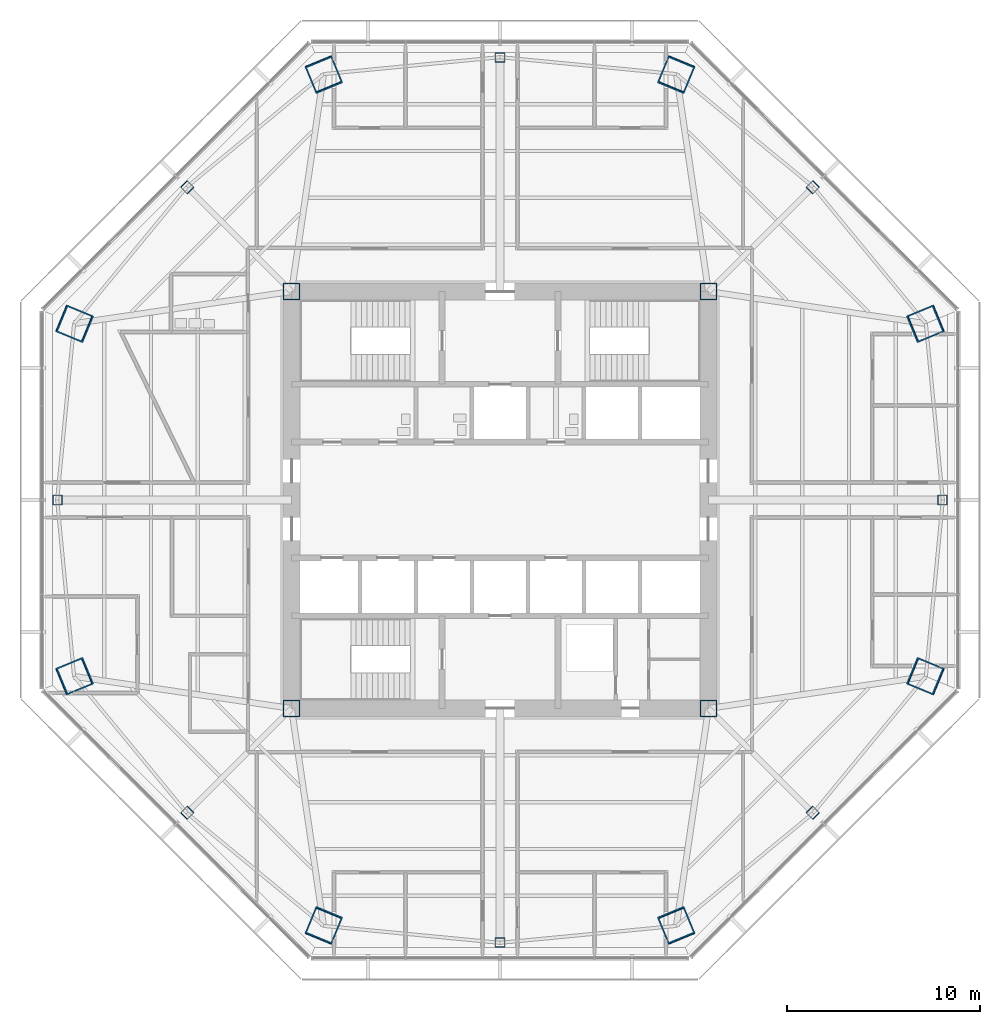
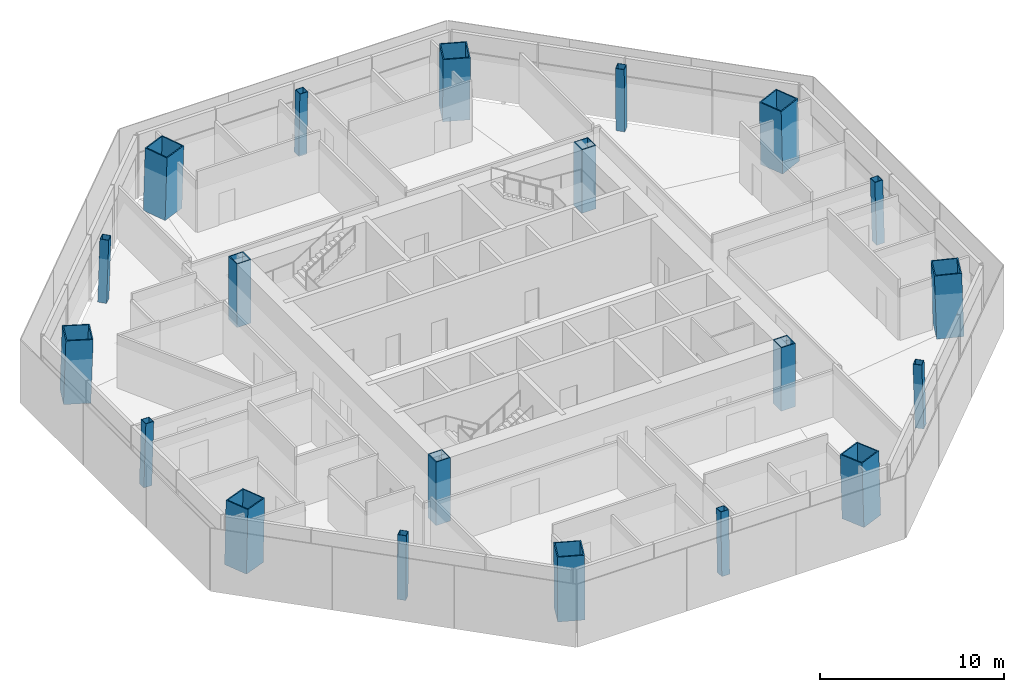
# One storey, part 1 of 15: 20 columns.
"""IFC4 building model written with IfcOpenShell, lengths in metres."""

from ifc_helpers import new_model, si_unit, direction, frame, origin, origin_2d, place, context, subcontext, project, spatial, hollow_rectangle, extrude, material, material_profile, profile_set, type_object, element, save


model = new_model("IFC4")

# Units and contexts
model_context = context("Model", 3, precision=1e-05, world=origin(), true_north=direction((0.0, 1.0)))
body_context = subcontext(model_context, "Body", "Model", "MODEL_VIEW")
ifc_project = project(units=[si_unit("LENGTHUNIT", "METRE"), si_unit("AREAUNIT", "SQUARE_METRE"), si_unit("VOLUMEUNIT", "CUBIC_METRE"), si_unit("PLANEANGLEUNIT", "RADIAN"), si_unit("MASSUNIT", "GRAM", prefix="KILO")], contexts=[model_context])

# Site, building, storey
site_placement = place(None, origin())
site = spatial("IfcSite", under=ifc_project, at=site_placement, CompositionType="ELEMENT")
building_placement = place(site_placement, origin())
building = spatial("IfcBuilding", under=site, at=building_placement, Name="Mashrafa Tower", CompositionType="ELEMENT")
storey_placement = place(building_placement, frame((0.0, 0.0, 151.199951171875)))
storey = spatial("IfcBuildingStorey", under=building, at=storey_placement, Name="L34", CompositionType="ELEMENT", Elevation=151.199951171875)

# Columns
ifc_material_1 = material(Name="Steel ASTM A572 Gr 50", Category="steel")
ifc_material_profile_1 = material_profile(ifc_material_1, hollow_rectangle(XDim=0.89990234375, YDim=0.89990234375, WallThickness=0.06005859375, at=origin_2d()), Name="BOX900X900X60")
ifc_profile_set_1 = profile_set([ifc_material_profile_1], Name="Steel ASTM A572 Gr 50")
column_type_1 = type_object("IfcColumnType", Name="Core corner column BOX900X900X60", PredefinedType="COLUMN", material=ifc_profile_set_1)
for number, where, z_axis, x_axis, name in (
    (1, (10.800048828125, 10.800048828125, 0.0), (0.0, 0.0, 1.0), (1.0, 0.0, 0.0), "Core corner column CC-NE L34"),
    (2, (-10.800048828125, 10.800048828125, 0.0), (0.0, 0.0, 1.0), (1.0, 0.0, 0.0), "Core corner column CC-NW L34"),
    (3, (-10.800048828125, -10.800048828125, 0.0), (0.0, 0.0, 1.0), (1.0, 0.0, 0.0), "Core corner column CC-SW L34"),
    (4, (10.800048828125, -10.800048828125, 0.0), (0.0, 0.0, 1.0), (1.0, 0.0, 0.0), "Core corner column CC-SE L34"),
):
    element("IfcColumn", number, at=place(storey_placement, frame(where, z_axis=z_axis, x_axis=x_axis)), inside=storey, type_object=column_type_1, Name=name, PredefinedType="COLUMN", context=body_context, shape_type="SweptSolid", body=[
        extrude(hollow_rectangle(XDim=0.89990234375, YDim=0.89990234375, WallThickness=0.06005859375, at=origin_2d()), origin(), (0.0, 0.0, 1.0), 4.199951171875),
    ])
ifc_material_2 = material(Name="Steel ASTM A572 Gr 50", Category="steel")
ifc_material_profile_2 = material_profile(ifc_material_2, hollow_rectangle(XDim=1.5, YDim=1.5, WallThickness=0.070068359375, at=origin_2d()), Name="BOX1500X1500X70")
ifc_profile_set_2 = profile_set([ifc_material_profile_2], Name="Steel ASTM A572 Gr 50")
column_type_2 = type_object("IfcColumnType", Name="Mega column CFST BOX1500X1500X70", PredefinedType="COLUMN", material=ifc_profile_set_2)
for number, where, z_axis, x_axis, name in (
    (5, (22.059326171875, 9.13720703125, 0.0), (-0.028295749455, -0.011678533143, 0.999531371407), (0.38151339852, -0.924363308851, 0.0), "Mega column MC1 L34"),
    (6, (9.13720703125, 22.059326171875, 0.0), (-0.011678533143, -0.028295749455, 0.999531371407), (0.924363308851, -0.38151339852, 0.0), "Mega column MC2 L34"),
    (7, (-9.13720703125, 22.059326171875, 0.0), (0.011678533143, -0.028295749455, 0.999531371407), (0.924363308851, 0.38151339852, 0.0), "Mega column MC3 L34"),
    (8, (-22.059326171875, 9.13720703125, 0.0), (0.028295749455, -0.011678533143, 0.999531371407), (0.38151339852, 0.924363308851, 0.0), "Mega column MC4 L34"),
    (9, (-22.059326171875, -9.13720703125, 0.0), (0.028295749455, 0.011678533143, 0.999531371407), (-0.38151339852, 0.924363308851, 0.0), "Mega column MC5 L34"),
    (10, (-9.13720703125, -22.059326171875, 0.0), (0.011678533143, 0.028295749455, 0.999531371407), (-0.924363308851, 0.38151339852, 0.0), "Mega column MC6 L34"),
    (11, (9.13720703125, -22.059326171875, 0.0), (-0.011678533143, 0.028295749455, 0.999531371407), (-0.924363308851, -0.38151339852, 0.0), "Mega column MC7 L34"),
    (12, (22.059326171875, -9.13720703125, 0.0), (-0.028295749455, 0.011678533143, 0.999531371407), (-0.38151339852, -0.924363308851, 0.0), "Mega column MC8 L34"),
):
    element("IfcColumn", number, at=place(storey_placement, frame(where, z_axis=z_axis, x_axis=x_axis)), inside=storey, type_object=column_type_2, Name=name, PredefinedType="COLUMN", context=body_context, shape_type="SweptSolid", body=[
        extrude(hollow_rectangle(XDim=1.5, YDim=1.5, WallThickness=0.070068359375, at=origin_2d()), origin(), (0.0, 0.0, 1.0), 4.201904296875),
    ])
ifc_material_3 = material(Name="Steel ASTM A572 Gr 50", Category="steel")
ifc_material_profile_3 = material_profile(ifc_material_3, hollow_rectangle(XDim=0.5, YDim=0.5, WallThickness=0.02490234375, at=origin_2d()), Name="BOX500X500X25")
ifc_profile_set_3 = profile_set([ifc_material_profile_3], Name="Steel ASTM A572 Gr 50")
column_type_3 = type_object("IfcColumnType", Name="Secondary column BOX500X500X25", PredefinedType="COLUMN", material=ifc_profile_set_3)
for number, where, z_axis, x_axis, name in (
    (13, (22.9375, 0.0, 0.0), (-0.028297679255, 0.0, 0.99959954049), (0.0, -1.0, 0.0), "Secondary column SC1 L34"),
    (14, (16.21923828125, 16.21923828125, 0.0), (-0.019988521213, -0.019988521213, 0.999600379171), (0.707106781187, -0.707106781187, 0.0), "Secondary column SC2 L34"),
    (15, (0.0, 22.9375, 0.0), (0.0, -0.028297679255, 0.99959954049), (1.0, 0.0, 0.0), "Secondary column SC3 L34"),
    (16, (-16.21923828125, 16.21923828125, 0.0), (0.019988521213, -0.019988521213, 0.999600379171), (0.707106781187, 0.707106781187, 0.0), "Secondary column SC4 L34"),
    (17, (-22.9375, 0.0, 0.0), (0.028297679255, 0.0, 0.99959954049), (0.0, 1.0, 0.0), "Secondary column SC5 L34"),
    (18, (-16.21923828125, -16.21923828125, 0.0), (0.019988521213, 0.019988521213, 0.999600379171), (-0.707106781187, 0.707106781187, 0.0), "Secondary column SC6 L34"),
    (19, (0.0, -22.9375, 0.0), (0.0, 0.028297679255, 0.99959954049), (-1.0, 0.0, 0.0), "Secondary column SC7 L34"),
    (20, (16.21923828125, -16.21923828125, 0.0), (-0.019988521213, 0.019988521213, 0.999600379171), (-0.707106781187, -0.707106781187, 0.0), "Secondary column SC8 L34"),
):
    element("IfcColumn", number, at=place(storey_placement, frame(where, z_axis=z_axis, x_axis=x_axis)), inside=storey, type_object=column_type_3, Name=name, PredefinedType="COLUMN", context=body_context, shape_type="SweptSolid", body=[
        extrude(hollow_rectangle(XDim=0.5, YDim=0.5, WallThickness=0.02490234375, at=origin_2d()), origin(), (0.0, 0.0, 1.0), 4.20166015625),
    ])

save(model, "model.ifc")
